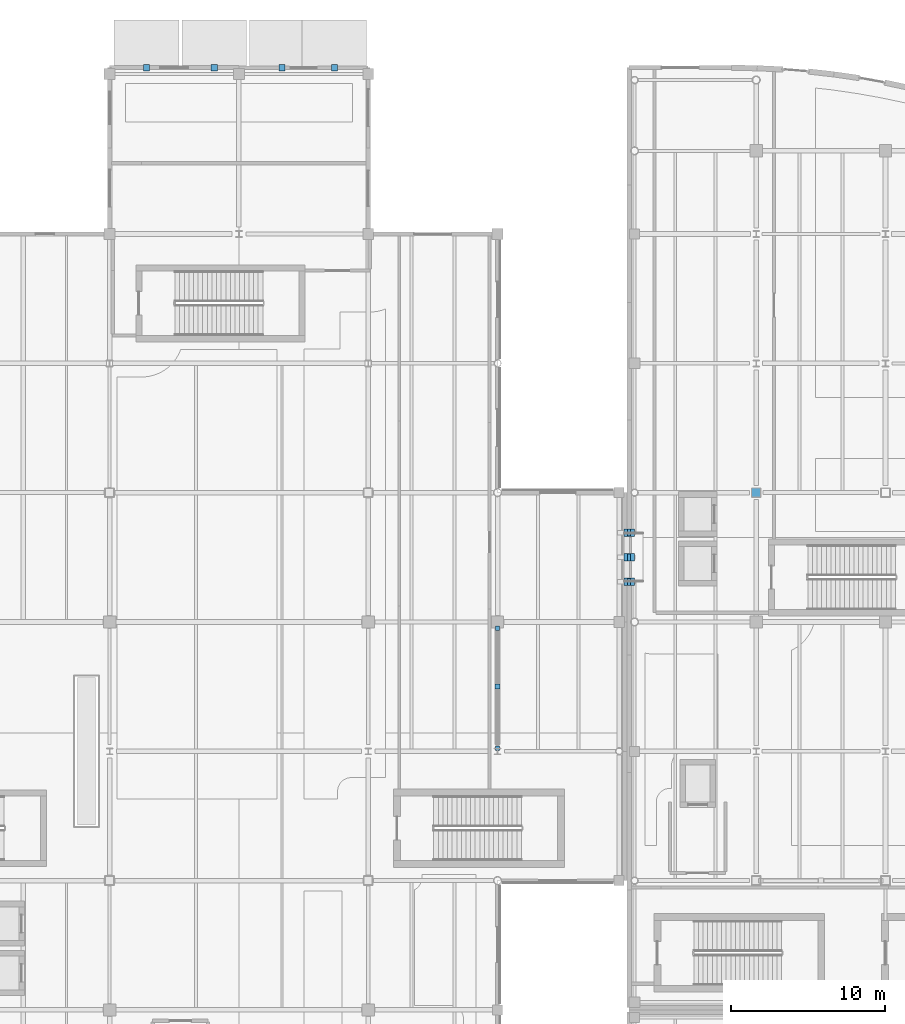
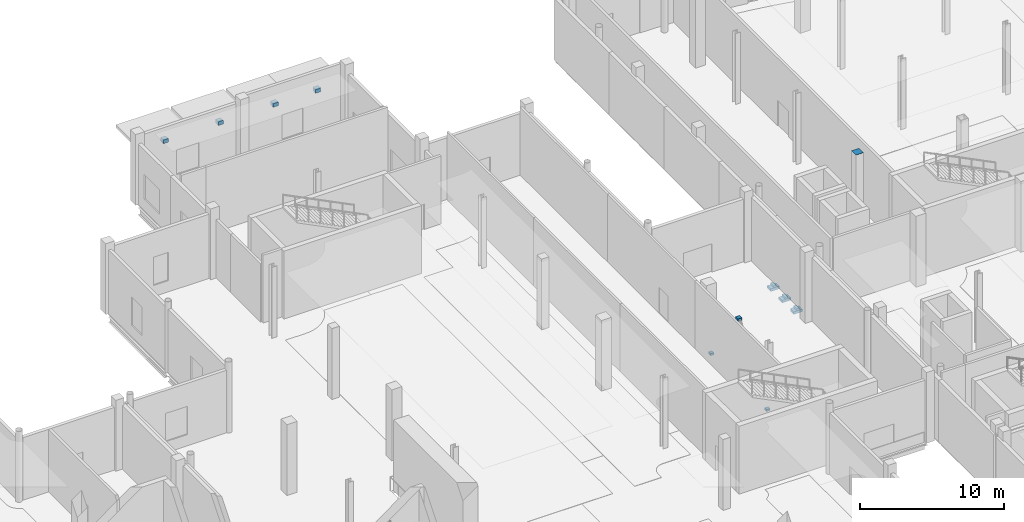
# One storey, part 60 of 85: 14 discrete accessories.
"""IFC4 building model written with IfcOpenShell, lengths in metres."""

from ifc_helpers import new_model, si_unit, direction, frame, origin, origin_2d, place, context, subcontext, project, spatial, rectangle, extrude, material, type_object, element, save


model = new_model("IFC4")

# Units and contexts
model_context = context("Model", 3, precision=1e-05, world=origin(), true_north=direction((0.0, 1.0)))
body_context = subcontext(model_context, "Body", "Model", "MODEL_VIEW")
ifc_project = project(units=[si_unit("LENGTHUNIT", "METRE"), si_unit("AREAUNIT", "SQUARE_METRE"), si_unit("VOLUMEUNIT", "CUBIC_METRE"), si_unit("PLANEANGLEUNIT", "RADIAN"), si_unit("MASSUNIT", "GRAM", prefix="KILO"), si_unit("THERMODYNAMICTEMPERATUREUNIT", "KELVIN")], contexts=[model_context])

# Site, building, storey
site_placement = place(None, origin())
site = spatial("IfcSite", under=ifc_project, at=site_placement, CompositionType="ELEMENT")
building_placement = place(site_placement, origin())
building = spatial("IfcBuilding", under=site, at=building_placement, Name="Lustrewick Department Store", CompositionType="ELEMENT")
storey_placement = place(building_placement, origin())
storey = spatial("IfcBuildingStorey", under=building, at=storey_placement, Name="L01", CompositionType="ELEMENT", Elevation=0.0)

# Discrete accessories
ifc_material_1 = material(Name="Anodized filigree aluminium 6061-T6", Category="aluminium")
discrete_accessory_type_1 = type_object("IfcDiscreteAccessoryType", Name="BRK-FIL", PredefinedType="BRACKET", material=ifc_material_1)
for number, where, z_axis, x_axis, name in (
    (1, (78.0, 111.60009765625, 4.0), (0.0, 0.0, 1.0), (1.0, 0.0, 0.0), "L01 Marquise Anchor Bracket 01"),
    (2, (82.39990234375, 111.60009765625, 4.0), (0.0, 0.0, 1.0), (1.0, 0.0, 0.0), "L01 Marquise Anchor Bracket 02"),
    (3, (86.800048828125, 111.60009765625, 4.0), (0.0, 0.0, 1.0), (1.0, 0.0, 0.0), "L01 Marquise Anchor Bracket 03"),
    (4, (90.199951171875, 111.60009765625, 4.0), (0.0, 0.0, 1.0), (1.0, 0.0, 0.0), "L01 Marquise Anchor Bracket 04"),
):
    element("IfcDiscreteAccessory", number, at=place(storey_placement, frame(where, z_axis=z_axis, x_axis=x_axis)), inside=storey, type_object=discrete_accessory_type_1, Name=name, PredefinedType="BRACKET", context=body_context, shape_type="SweptSolid", body=[
        extrude(rectangle(XDim=0.39990234375, YDim=0.39990234375, at=origin_2d()), origin(), (0.0, 0.0, 1.0), 0.300048828125),
    ])
ifc_material_2 = material(Name="Structural steel Q355C", Category="steel")
discrete_accessory_type_2 = type_object("IfcDiscreteAccessoryType", Name="GUS-NODE", PredefinedType="BRACKET", material=ifc_material_2)
for number, where, z_axis, x_axis, name in (
    (5, (100.800048828125, 67.39990234375, 0.06005859375), (0.0, 0.0, 1.0), (1.0, 0.0, 0.0), "L01 V2 Brace Base Gusset Plate"),
    (6, (100.800048828125, 75.199951171875, 0.06005859375), (0.0, 0.0, 1.0), (1.0, 0.0, 0.0), "L01 V2 Brace Base Gusset Plate"),
):
    element("IfcDiscreteAccessory", number, at=place(storey_placement, frame(where, z_axis=z_axis, x_axis=x_axis)), inside=storey, type_object=discrete_accessory_type_2, Name=name, PredefinedType="BRACKET", context=body_context, shape_type="SweptSolid", body=[
        extrude(rectangle(XDim=0.280029296875, YDim=0.280029296875, at=origin_2d()), origin(), (0.0, 0.0, 1.0), 0.179931640625),
    ])
discrete_accessory_1_placement = place(storey_placement, frame((100.800048828125, 71.39990234375, 5.28515625), z_axis=(0.0, 0.0, 1.0), x_axis=(1.0, 0.0, 0.0)))
element("IfcDiscreteAccessory", 7, at=discrete_accessory_1_placement, inside=storey, type_object=discrete_accessory_type_2, Name="L01 V2 Chevron Brace Apex Gusset Plate", PredefinedType="BRACKET", context=body_context, shape_type="SweptSolid", body=[
    extrude(rectangle(XDim=0.320068359375, YDim=0.320068359375, at=origin_2d()), origin(), (0.0, 0.0, 1.0), 0.219970703125),
])
discrete_accessory_type_3 = type_object("IfcDiscreteAccessoryType", Name="SB-CORBEL", PredefinedType="BRACKET", material=ifc_material_2)
for number, where, z_axis, x_axis, name in (
    (8, (109.35009765625, 78.199951171875, -1.11279296875), (0.0, 0.0, 1.0), (1.0, 0.0, 0.0), "L01 Skybridge SB24 700 mm Bearing Seat Corbel 1"),
    (9, (109.35009765625, 79.800048828125, -1.11279296875), (0.0, 0.0, 1.0), (1.0, 0.0, 0.0), "L01 Skybridge SB24 700 mm Bearing Seat Corbel 2"),
    (10, (109.35009765625, 81.39990234375, -1.11279296875), (0.0, 0.0, 1.0), (1.0, 0.0, 0.0), "L01 Skybridge SB24 700 mm Bearing Seat Corbel 3"),
):
    element("IfcDiscreteAccessory", number, at=place(storey_placement, frame(where, z_axis=z_axis, x_axis=x_axis)), inside=storey, type_object=discrete_accessory_type_3, Name=name, PredefinedType="BRACKET", context=body_context, shape_type="SweptSolid", body=[
        extrude(rectangle(XDim=0.699951171875, YDim=0.47998046875, at=origin_2d()), origin(), (0.0, 0.0, 1.0), 0.219970703125),
    ])
discrete_accessory_type_4 = type_object("IfcDiscreteAccessoryType", Name="SB-PTFE", PredefinedType="BRACKET", material=ifc_material_2)
for number, where, z_axis, x_axis, name in (
    (11, (109.35009765625, 78.199951171875, -0.89306640625), (0.0, 0.0, 1.0), (1.0, 0.0, 0.0), "L01 Skybridge SB24 PTFE Sliding Bearing 1"),
    (12, (109.35009765625, 79.800048828125, -0.89306640625), (0.0, 0.0, 1.0), (1.0, 0.0, 0.0), "L01 Skybridge SB24 PTFE Sliding Bearing 2"),
    (13, (109.35009765625, 81.39990234375, -0.89306640625), (0.0, 0.0, 1.0), (1.0, 0.0, 0.0), "L01 Skybridge SB24 PTFE Sliding Bearing 3"),
):
    element("IfcDiscreteAccessory", number, at=place(storey_placement, frame(where, z_axis=z_axis, x_axis=x_axis)), inside=storey, type_object=discrete_accessory_type_4, Name=name, PredefinedType="BRACKET", context=body_context, shape_type="SweptSolid", body=[
        extrude(rectangle(XDim=0.199951171875, YDim=0.449951171875, at=origin_2d()), origin(), (0.0, 0.0, 1.0), 0.159912109375),
    ])
discrete_accessory_type_5 = type_object("IfcDiscreteAccessoryType", Name="ECP-01", PredefinedType="USERDEFINED", material=ifc_material_2)
discrete_accessory_2_placement = place(storey_placement, frame((117.60009765625, 84.0, 5.993896484375), z_axis=(0.0, 0.0, 1.0), x_axis=(1.0, 0.0, 0.0)))
element("IfcDiscreteAccessory", 14, at=discrete_accessory_2_placement, inside=storey, type_object=discrete_accessory_type_5, Name="L01 Welded Hollow-Section End-Cap Plate ECP-01", ObjectType="END_CAP_PLATE", PredefinedType="USERDEFINED", context=body_context, shape_type="SweptSolid", body=[
    extrude(rectangle(XDim=0.60009765625, YDim=0.60009765625, at=origin_2d()), origin(), (0.0, 0.0, 1.0), 0.01611328125),
])

save(model, "model.ifc")
